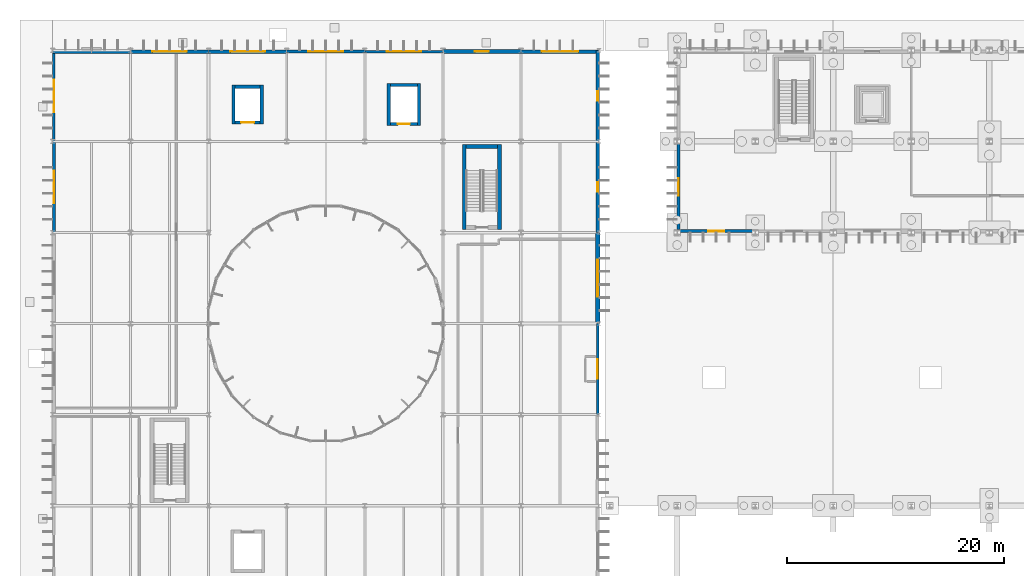
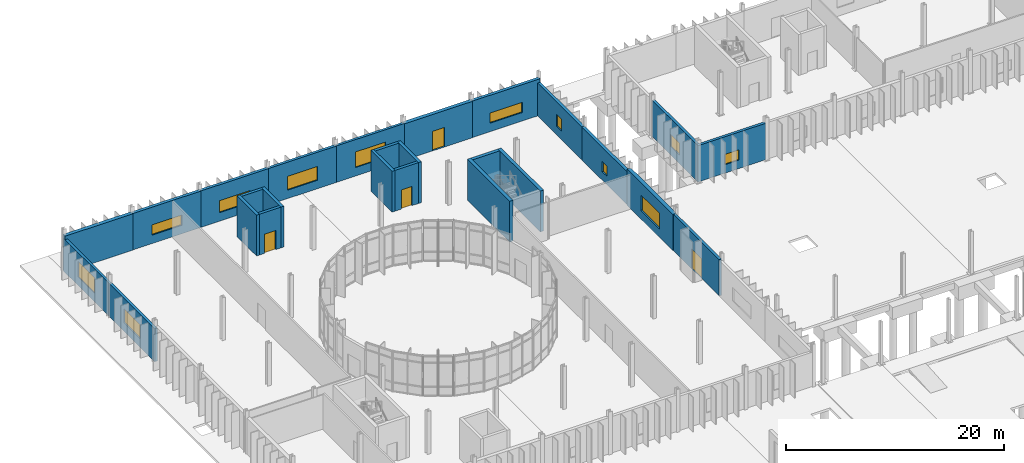
# One storey, part 95 of 118: 26 walls, 12 windows, 4 doors, 16 openings.
"""IFC4 building model written with IfcOpenShell, lengths in metres."""

import ifcopenshell
import ifcopenshell.guid

model = None  # the IFC model being written
_history = None  # IfcOwnerHistory: only IFC2X3 demands one
_inside = {}  # id of a spatial element -> (the spatial element, [elements in it])
_under = {}  # id of a project, library or spatial element -> (it, [spatial elements below it])
_declared = {}  # id of a project -> (the project, [libraries it declares])
_typed = {}  # id of a type object -> (the type object, [elements of that type])
_made_of = {}  # id of a material, layer set ... -> (it, [elements and type objects made of it])


def new_model(schema):
    """Start an empty IFC model of exactly this schema.

    Asked for "IFC4X3", IfcOpenShell would pick the latest addendum, in which some entities
    have other attributes; the version numbers below select the first issue.
    IFC2X3 requires an IfcOwnerHistory on every rooted entity: one is made here for all.
    """
    global model, _history
    if schema == "IFC4X3":
        model = ifcopenshell.file(schema_version=(4, 3, 0, 0))
    else:
        model = ifcopenshell.file(schema=schema)
    _inside.clear()
    _under.clear()
    _declared.clear()
    _typed.clear()
    _made_of.clear()
    _history = None
    if model.schema == "IFC2X3":
        org = make("IfcOrganization", Name="unknown")
        user = make(
            "IfcPersonAndOrganization",
            ThePerson=make("IfcPerson", FamilyName="unknown"),
            TheOrganization=org,
        )
        app = make(
            "IfcApplication",
            ApplicationDeveloper=org,
            Version="unknown",
            ApplicationFullName="unknown",
            ApplicationIdentifier="unknown",
        )
        _history = make(
            "IfcOwnerHistory",
            OwningUser=user,
            OwningApplication=app,
            ChangeAction="ADDED",
            CreationDate=0,
        )
    return model


def make(cls, **values):
    """One entity of the class cls with the attributes given. An attribute that is None is left unset."""
    return model.create_entity(
        cls, **{name: value for name, value in values.items() if value is not None}
    )


def rooted(cls, **values):
    """An entity with a GlobalId (a new one), such as an element, a storey or a relation."""
    return make(cls, GlobalId=ifcopenshell.guid.new(), OwnerHistory=_history, **values)


def si_unit(unit_type, name, prefix=None):
    """IfcSIUnit, for example si_unit("LENGTHUNIT", "METRE", prefix="MILLI")."""
    return make("IfcSIUnit", UnitType=unit_type, Prefix=prefix, Name=name)


def assignment(units):
    """IfcUnitAssignment: the units of a project."""
    return None if units is None else make("IfcUnitAssignment", Units=units)


def point(xyz):
    """IfcCartesianPoint."""
    return None if xyz is None else make("IfcCartesianPoint", Coordinates=xyz)


def direction(xyz):
    """IfcDirection."""
    return None if xyz is None else make("IfcDirection", DirectionRatios=xyz)


def frame(location, z_axis=None, x_axis=None):
    """IfcAxis2Placement3D, a coordinate frame: its origin and axes. An axis left out is left unset."""
    return make(
        "IfcAxis2Placement3D",
        Location=point(location),
        Axis=direction(z_axis),
        RefDirection=direction(x_axis),
    )


def frame_2d(location, x_axis=None):
    """IfcAxis2Placement2D, a coordinate frame in the plane: its origin and x axis."""
    return make(
        "IfcAxis2Placement2D", Location=point(location), RefDirection=direction(x_axis)
    )


def origin():
    """The frame at (0, 0, 0) with its axes left unset."""
    return frame((0.0, 0.0, 0.0))


def place(relative_to, where):
    """IfcLocalPlacement: puts the frame where relative to a parent placement (None: the world)."""
    return make(
        "IfcLocalPlacement", PlacementRelTo=relative_to, RelativePlacement=where
    )


def context(
    kind, dimensions, precision=None, world=None, true_north=None, identifier=None
):
    """IfcGeometricRepresentationContext, for example the 3D "Model" context."""
    return make(
        "IfcGeometricRepresentationContext",
        ContextIdentifier=identifier,
        ContextType=kind,
        CoordinateSpaceDimension=dimensions,
        Precision=precision,
        WorldCoordinateSystem=world,
        TrueNorth=true_north,
    )


def subcontext(parent, identifier, kind, view, scale=None):
    """IfcGeometricRepresentationSubContext, for example "Body" below "Model"."""
    return make(
        "IfcGeometricRepresentationSubContext",
        ContextIdentifier=identifier,
        ContextType=kind,
        ParentContext=parent,
        TargetScale=scale,
        TargetView=view,
    )


def project(units=None, contexts=None):
    """IfcProject with its units and contexts."""
    return rooted(
        "IfcProject",
        Name="project",
        RepresentationContexts=contexts,
        UnitsInContext=assignment(units),
    )


def spatial(cls, under=None, at=None, **own):
    """A site, building, storey or space (cls), placed at a placement, below another one or the project."""
    s = rooted(cls, ObjectPlacement=at, **own)
    if under is not None:
        _under.setdefault(under.id(), (under, []))[1].append(s)
    return s


def profile(cls, at=None, kind="AREA", **sizes):
    """A parametric profile (cls). Its sizes go by their IFC names, for example OverallWidth=200.0."""
    return make(cls, ProfileType=kind, Position=at, **sizes)


def rectangle(**sizes):
    """IfcRectangleProfileDef."""
    return profile("IfcRectangleProfileDef", **sizes)


def extrude(swept, where, along, depth):
    """IfcExtrudedAreaSolid: the profile swept, set in the frame where, extruded along a direction by depth."""
    return make(
        "IfcExtrudedAreaSolid",
        SweptArea=swept,
        Position=where,
        ExtrudedDirection=direction(along),
        Depth=depth,
    )


def shape(context_of_items, identifier, shape_type, items):
    """IfcShapeRepresentation: the items that make up one representation, for example the "Body"."""
    return make(
        "IfcShapeRepresentation",
        ContextOfItems=context_of_items,
        RepresentationIdentifier=identifier,
        RepresentationType=shape_type,
        Items=items,
    )


def material(Name=None, Category=None):
    """IfcMaterial."""
    return make("IfcMaterial", Name=Name, Category=Category)


def layer(
    of_material, thickness, ventilated=None, Name=None, Category=None, Priority=None
):
    """IfcMaterialLayer: one layer of a wall or slab, of a material (None: an air gap)."""
    return make(
        "IfcMaterialLayer",
        Material=of_material,
        LayerThickness=thickness,
        IsVentilated=ventilated,
        Name=Name,
        Category=Category,
        Priority=Priority,
    )


def layer_set(layers, Name=None):
    """IfcMaterialLayerSet."""
    return make("IfcMaterialLayerSet", MaterialLayers=layers, LayerSetName=Name)


def made_of(thing, what):
    """Note that an element or type object is made of a material, layer set ...; save() writes the relation."""
    if what is not None:
        _made_of.setdefault(what.id(), (what, []))[1].append(thing)
    return thing


def type_object(cls, material=None, **own):
    """A type object (cls), such as IfcWallType, which elements share."""
    return made_of(rooted(cls, **own), material)


def element(
    cls,
    number,
    at=None,
    inside=None,
    cuts=None,
    type_object=None,
    material=None,
    context=None,
    identifier="Body",
    shape_type=None,
    held_by="IfcProductDefinitionShape",
    body=None,
    shapes=None,
    **own,
):
    """One element of the class cls, such as IfcWall. Its Tag is "e" and its number.

    at: its placement. inside: the storey or other place that contains it. cuts: it is an
    opening in that element (IfcRelVoidsElement). A single representation is given by context,
    identifier, shape_type and body (its items); several are given by shapes. held_by: the class
    of the entity that holds the representations. save() writes the other relations.
    """
    e = rooted(cls, Tag="e%d" % number, ObjectPlacement=at, **own)
    if body is not None:
        shapes = [shape(context, identifier, shape_type, body)]
    if shapes is not None:
        e.Representation = make(held_by, Representations=shapes)
    if inside is not None:
        _inside.setdefault(inside.id(), (inside, []))[1].append(e)
    if cuts is not None:
        rooted(
            "IfcRelVoidsElement", RelatingBuildingElement=cuts, RelatedOpeningElement=e
        )
    if type_object is not None:
        _typed.setdefault(type_object.id(), (type_object, []))[1].append(e)
    return made_of(e, material)


def fill(opening, filler):
    """IfcRelFillsElement: the door or window that sits in an opening."""
    return rooted(
        "IfcRelFillsElement",
        RelatingOpeningElement=opening,
        RelatedBuildingElement=filler,
    )


def aggregate(whole, parts):
    """IfcRelAggregates: a whole, such as a stair, and the parts it consists of."""
    return rooted("IfcRelAggregates", RelatingObject=whole, RelatedObjects=parts)


def save(model, path):
    """Write the relations noted so far, then the file.

    IfcRelAggregates (storeys below a building ...), IfcRelContainedInSpatialStructure (elements
    in a storey), IfcRelDefinesByType, IfcRelAssociatesMaterial and IfcRelDeclares: one each for
    every whole, place, type object, material and project.
    """
    for whole, parts in _under.values():
        aggregate(whole, parts)
    for where, things in _inside.values():
        rooted(
            "IfcRelContainedInSpatialStructure",
            RelatedElements=things,
            RelatingStructure=where,
        )
    for kind, things in _typed.values():
        rooted("IfcRelDefinesByType", RelatedObjects=things, RelatingType=kind)
    for what, things in _made_of.values():
        rooted("IfcRelAssociatesMaterial", RelatedObjects=things, RelatingMaterial=what)
    for by, libraries in _declared.values():
        rooted("IfcRelDeclares", RelatingContext=by, RelatedDefinitions=libraries)
    model.write(path)


model = new_model("IFC4")

# Units and contexts
model_context = context("Model", 3, precision=1e-05, world=origin(), true_north=direction((0.0, 1.0)))
body_context = subcontext(model_context, "Body", "Model", "MODEL_VIEW")
ifc_project = project(units=[si_unit("LENGTHUNIT", "METRE"), si_unit("AREAUNIT", "SQUARE_METRE"), si_unit("VOLUMEUNIT", "CUBIC_METRE"), si_unit("PLANEANGLEUNIT", "RADIAN"), si_unit("MASSUNIT", "GRAM", prefix="KILO")], contexts=[model_context])

# Site, building, storey
site_placement = place(None, origin())
site = spatial("IfcSite", under=ifc_project, at=site_placement, CompositionType="ELEMENT")
building_placement = place(site_placement, origin())
building = spatial("IfcBuilding", under=site, at=building_placement, Name="Qelthora Terrace Specialist Clinic", CompositionType="ELEMENT")
storey_placement = place(building_placement, origin())
storey = spatial("IfcBuildingStorey", under=building, at=storey_placement, Name="L00", CompositionType="ELEMENT", Elevation=0.0)

# Walls
ifc_material_1 = material(Name="Concrete C40/50", Category="concrete")
ifc_layer_1 = layer(ifc_material_1, 0.300048828125)
ifc_layer_set_1 = layer_set([ifc_layer_1], Name="Concrete C40/50")
wall_type_1 = type_object("IfcWallType", Name="WAL-CORE-300-C40", PredefinedType="SHEAR", material=ifc_layer_set_1)
for number, where, z_axis, x_axis, name in (
    (1, (31.0, 102.25, 0.0), (0.0, 0.0, 1.0), (0.0, 1.0, 0.0), "Lift SL-02 L00 west shaft wall"),
    (2, (33.800048828125, 102.25, 0.0), (0.0, 0.0, 1.0), (0.0, 1.0, 0.0), "Lift SL-02 L00 east shaft wall"),
):
    element("IfcWall", number, at=place(storey_placement, frame(where, z_axis=z_axis, x_axis=x_axis)), inside=storey, type_object=wall_type_1, Name=name, PredefinedType="SHEAR", context=body_context, shape_type="SweptSolid", body=[
        extrude(rectangle(XDim=3.89990234375, YDim=0.300048828125, at=frame_2d((1.949951171875, 0.0))), origin(), (0.0, 0.0, 1.0), 4.580078125),
    ])
wall_1_placement = place(storey_placement, frame((31.14990234375, 106.0, 0.0), z_axis=(0.0, 0.0, 1.0), x_axis=(1.0, 0.0, 0.0)))
element("IfcWall", 3, at=wall_1_placement, inside=storey, type_object=wall_type_1, Name="Lift SL-02 L00 north shaft wall", PredefinedType="SHEAR", context=body_context, shape_type="SweptSolid", body=[
    extrude(rectangle(XDim=2.5, YDim=0.300048828125, at=frame_2d((1.25, 0.0))), origin(), (0.0, 0.0, 1.0), 4.580078125),
])

# Wall, opening, door
wall_2_placement = place(storey_placement, frame((31.14990234375, 102.39990234375, 0.0), z_axis=(0.0, 0.0, 1.0), x_axis=(1.0, 0.0, 0.0)))
wall_2 = element("IfcWall", 4, at=wall_2_placement, inside=storey, type_object=wall_type_1, Name="Lift SL-02 L00 south shaft wall", PredefinedType="SHEAR", context=body_context, shape_type="SweptSolid", body=[
    extrude(rectangle(XDim=2.5, YDim=0.300048828125, at=frame_2d((1.25, 0.0))), origin(), (0.0, 0.0, 1.0), 4.580078125),
])
opening_1_placement = place(wall_2_placement, frame((0.699951171875, 0.0, 0.0)))
opening_1 = element("IfcOpeningElement", 5, at=opening_1_placement, cuts=wall_2, Name="Opening LD-SL-02-L00", PredefinedType="OPENING", context=body_context, shape_type="SweptSolid", body=[
    extrude(rectangle(XDim=1.10009765625, YDim=2.14990234375, at=frame_2d((0.550048828125, 1.074951171875))), frame((0.0, 0.159912109375, 0.0), z_axis=(0.0, -1.0, 0.0), x_axis=(1.0, 0.0, 0.0)), (0.0, 0.0, 1.0), 0.320068359375),
])
ifc_material_2 = material(Name="Steel S355", Category="steel")
door_type_1 = type_object("IfcDoorType", Name="DOR-LIFT-1100X2150", OperationType="NOTDEFINED", PredefinedType="DOOR", material=ifc_material_2)
door_1_placement = place(opening_1_placement, origin())
door_1 = element("IfcDoor", 6, at=door_1_placement, inside=storey, type_object=door_type_1, Name="Lift landing sliding door LD-SL-02-L00", OperationType="DOUBLE_DOOR_SLIDING", OverallHeight=2.14990234375, OverallWidth=1.10009765625, PredefinedType="DOOR", context=body_context, shape_type="SweptSolid", body=[
    extrude(rectangle(XDim=1.10009765625, YDim=2.14990234375, at=frame_2d((0.550048828125, 1.074951171875))), frame((0.0, 0.02490234375, 0.0), z_axis=(0.0, -1.0, 0.0), x_axis=(1.0, 0.0, 0.0)), (0.0, 0.0, 1.0), 0.050048828125),
])
fill(opening_1, door_1)

# Walls
for number, where, z_axis, x_axis, name in (
    (7, (16.699951171875, 102.39990234375, 0.0), (0.0, 0.0, 1.0), (0.0, 1.0, 0.0), "Lift GL-01 L00 west shaft wall"),
    (8, (19.300048828125, 102.39990234375, 0.0), (0.0, 0.0, 1.0), (0.0, 1.0, 0.0), "Lift GL-01 L00 east shaft wall"),
):
    element("IfcWall", number, at=place(storey_placement, frame(where, z_axis=z_axis, x_axis=x_axis)), inside=storey, type_object=wall_type_1, Name=name, PredefinedType="SHEAR", context=body_context, shape_type="SweptSolid", body=[
        extrude(rectangle(XDim=3.60009765625, YDim=0.300048828125, at=frame_2d((1.800048828125, 0.0))), origin(), (0.0, 0.0, 1.0), 4.580078125),
    ])
wall_3_placement = place(storey_placement, frame((16.85009765625, 105.85009765625, 0.0), z_axis=(0.0, 0.0, 1.0), x_axis=(1.0, 0.0, 0.0)))
element("IfcWall", 9, at=wall_3_placement, inside=storey, type_object=wall_type_1, Name="Lift GL-01 L00 north shaft wall", PredefinedType="SHEAR", context=body_context, shape_type="SweptSolid", body=[
    extrude(rectangle(XDim=2.2998046875, YDim=0.300048828125, at=frame_2d((1.14990234375, 0.0))), origin(), (0.0, 0.0, 1.0), 4.580078125),
])

# Wall, opening, door
wall_4_placement = place(storey_placement, frame((16.85009765625, 102.550048828125, 0.0), z_axis=(0.0, 0.0, 1.0), x_axis=(1.0, 0.0, 0.0)))
wall_4 = element("IfcWall", 10, at=wall_4_placement, inside=storey, type_object=wall_type_1, Name="Lift GL-01 L00 south shaft wall", PredefinedType="SHEAR", context=body_context, shape_type="SweptSolid", body=[
    extrude(rectangle(XDim=2.2998046875, YDim=0.300048828125, at=frame_2d((1.14990234375, 0.0))), origin(), (0.0, 0.0, 1.0), 4.580078125),
])
opening_2_placement = place(wall_4_placement, frame((0.550048828125, 0.0, 0.0)))
opening_2 = element("IfcOpeningElement", 11, at=opening_2_placement, cuts=wall_4, Name="Opening LD-GL-01-L00", PredefinedType="OPENING", context=body_context, shape_type="SweptSolid", body=[
    extrude(rectangle(XDim=1.199951171875, YDim=2.14990234375, at=frame_2d((0.60009765625, 1.074951171875))), frame((0.0, 0.159912109375, 0.0), z_axis=(0.0, -1.0, 0.0), x_axis=(1.0, 0.0, 0.0)), (0.0, 0.0, 1.0), 0.320068359375),
])
door_type_2 = type_object("IfcDoorType", Name="DOR-LIFT-1200X2150", OperationType="NOTDEFINED", PredefinedType="DOOR", material=ifc_material_2)
door_2_placement = place(opening_2_placement, origin())
door_2 = element("IfcDoor", 12, at=door_2_placement, inside=storey, type_object=door_type_2, Name="Lift landing sliding door LD-GL-01-L00", OperationType="DOUBLE_DOOR_SLIDING", OverallHeight=2.14990234375, OverallWidth=1.199951171875, PredefinedType="DOOR", context=body_context, shape_type="SweptSolid", body=[
    extrude(rectangle(XDim=1.199951171875, YDim=2.14990234375, at=frame_2d((0.60009765625, 1.074951171875))), frame((0.0, 0.02490234375, 0.0), z_axis=(0.0, -1.0, 0.0), x_axis=(1.0, 0.0, 0.0)), (0.0, 0.0, 1.0), 0.050048828125),
])
fill(opening_2, door_2)

# Walls
ifc_layer_2 = layer(ifc_material_1, 0.35009765625)
ifc_layer_set_2 = layer_set([ifc_layer_2], Name="Concrete C40/50")
wall_type_2 = type_object("IfcWallType", Name="WAL-CORE-350-C40", PredefinedType="SHEAR", material=ifc_layer_set_2)
for number, where, z_axis, x_axis, name in (
    (13, (37.97509765625, 92.699951171875, 0.0), (0.0, 0.0, 1.0), (0.0, 1.0, 0.0), "ST-02 L00 west shear core wall"),
    (14, (41.22509765625, 92.699951171875, 0.0), (0.0, 0.0, 1.0), (0.0, 1.0, 0.0), "ST-02 L00 east shear core wall"),
):
    element("IfcWall", number, at=place(storey_placement, frame(where, z_axis=z_axis, x_axis=x_axis)), inside=storey, type_object=wall_type_2, Name=name, PredefinedType="SHEAR", context=body_context, shape_type="SweptSolid", body=[
        extrude(rectangle(XDim=7.800048828125, YDim=0.35009765625, at=frame_2d((3.89990234375, 0.0))), origin(), (0.0, 0.0, 1.0), 4.580078125),
    ])
wall_5_placement = place(storey_placement, frame((38.14990234375, 100.324951171875, 0.0), z_axis=(0.0, 0.0, 1.0), x_axis=(1.0, 0.0, 0.0)))
element("IfcWall", 15, at=wall_5_placement, inside=storey, type_object=wall_type_2, Name="ST-02 L00 north shear core wall", PredefinedType="SHEAR", context=body_context, shape_type="SweptSolid", body=[
    extrude(rectangle(XDim=2.900146484375, YDim=0.35009765625, at=frame_2d((1.4501953125, 0.0))), origin(), (0.0, 0.0, 1.0), 4.580078125),
])

# Wall, opening, window
ifc_material_3 = material(Name="Precast concrete C40/50", Category="concrete")
ifc_layer_3 = layer(ifc_material_3, 0.260009765625)
ifc_layer_set_3 = layer_set([ifc_layer_3], Name="Precast concrete C40/50")
wall_type_3 = type_object("IfcWallType", Name="WAL-EXT-260-PC40", PredefinedType="SOLIDWALL", material=ifc_layer_set_3)
wall_6_placement = place(storey_placement, frame((0.1201171875, 100.800048828125, 0.0), z_axis=(0.0, 0.0, 1.0), x_axis=(0.0, 1.0, 0.0)))
wall_6 = element("IfcWall", 16, at=wall_6_placement, inside=storey, type_object=wall_type_3, Name="L00 external precast wall 69", PredefinedType="SOLIDWALL", context=body_context, shape_type="SweptSolid", body=[
    extrude(rectangle(XDim=8.39990234375, YDim=0.260009765625, at=frame_2d((4.199951171875, 0.0))), origin(), (0.0, 0.0, 1.0), 3.69091796875),
])
opening_3_placement = place(wall_6_placement, frame((2.699951171875, 0.0, 0.949951171875)))
opening_3 = element("IfcOpeningElement", 17, at=opening_3_placement, cuts=wall_6, Name="Opening WN-L00-052", PredefinedType="OPENING", context=body_context, shape_type="SweptSolid", body=[
    extrude(rectangle(XDim=3.0, YDim=1.75, at=frame_2d((1.5, 0.875))), frame((0.0, 0.139892578125, 0.0), z_axis=(0.0, -1.0, 0.0), x_axis=(1.0, 0.0, 0.0)), (0.0, 0.0, 1.0), 0.280029296875),
])
ifc_material_4 = material(Name="Low-E triple-silver insulating glass", Category="glass")
window_type_1 = type_object("IfcWindowType", Name="WIN-3000X1750", PartitioningType="DOUBLE_PANEL_VERTICAL", PredefinedType="WINDOW", material=ifc_material_4)
window_1_placement = place(opening_3_placement, origin())
window_1 = element("IfcWindow", 18, at=window_1_placement, inside=storey, type_object=window_type_1, Name="Clinical window WN-L00-052", OverallHeight=1.75, OverallWidth=3.0, PartitioningType="SINGLE_PANEL", PredefinedType="WINDOW", context=body_context, shape_type="SweptSolid", body=[
    extrude(rectangle(XDim=3.0, YDim=1.75, at=frame_2d((1.5, 0.875))), frame((0.0, 0.030029296875, 0.0), z_axis=(0.0, -1.0, 0.0), x_axis=(1.0, 0.0, 0.0)), (0.0, 0.0, 1.0), 0.06005859375),
])
fill(opening_3, window_1)

wall_7_placement = place(storey_placement, frame((28.800048828125, 109.080078125, 0.0), z_axis=(0.0, 0.0, 1.0), x_axis=(1.0, 0.0, 0.0)))
wall_7 = element("IfcWall", 19, at=wall_7_placement, inside=storey, type_object=wall_type_3, Name="L00 external precast wall 74", PredefinedType="SOLIDWALL", context=body_context, shape_type="SweptSolid", body=[
    extrude(rectangle(XDim=7.199951171875, YDim=0.260009765625, at=frame_2d((3.60009765625, 0.0))), origin(), (0.0, 0.0, 1.0), 4.08203125),
])
opening_4_placement = place(wall_7_placement, frame((2.0, 0.0, 0.949951171875)))
opening_4 = element("IfcOpeningElement", 20, at=opening_4_placement, cuts=wall_7, Name="Opening WN-L00-056", PredefinedType="OPENING", context=body_context, shape_type="SweptSolid", body=[
    extrude(rectangle(XDim=3.199951171875, YDim=1.75, at=frame_2d((1.60009765625, 0.875))), frame((0.0, 0.139892578125, 0.0), z_axis=(0.0, -1.0, 0.0), x_axis=(1.0, 0.0, 0.0)), (0.0, 0.0, 1.0), 0.280029296875),
])
window_type_2 = type_object("IfcWindowType", Name="WIN-3200X1750", PartitioningType="DOUBLE_PANEL_VERTICAL", PredefinedType="WINDOW", material=ifc_material_4)
window_2_placement = place(opening_4_placement, origin())
window_2 = element("IfcWindow", 21, at=window_2_placement, inside=storey, type_object=window_type_2, Name="Clinical window WN-L00-056", OverallHeight=1.75, OverallWidth=3.199951171875, PartitioningType="SINGLE_PANEL", PredefinedType="WINDOW", context=body_context, shape_type="SweptSolid", body=[
    extrude(rectangle(XDim=3.199951171875, YDim=1.75, at=frame_2d((1.60009765625, 0.875))), frame((0.0, 0.030029296875, 0.0), z_axis=(0.0, -1.0, 0.0), x_axis=(1.0, 0.0, 0.0)), (0.0, 0.0, 1.0), 0.06005859375),
])
fill(opening_4, window_2)

# Wall, opening, door
wall_8_placement = place(storey_placement, frame((50.280029296875, 75.60009765625, 0.0), z_axis=(0.0, 0.0, 1.0), x_axis=(0.0, 1.0, 0.0)))
wall_8 = element("IfcWall", 22, at=wall_8_placement, inside=storey, type_object=wall_type_3, Name="L00 external precast wall 79", PredefinedType="SOLIDWALL", context=body_context, shape_type="SweptSolid", body=[
    extrude(rectangle(XDim=8.39990234375, YDim=0.260009765625, at=frame_2d((4.199951171875, 0.0))), origin(), (0.0, 0.0, 1.0), 4.075927734375),
])
opening_5_placement = place(wall_8_placement, frame((3.300048828125, 0.0, 0.0)))
opening_5 = element("IfcOpeningElement", 23, at=opening_5_placement, cuts=wall_8, Name="Opening DE-V5CRT-01", PredefinedType="OPENING", context=body_context, shape_type="SweptSolid", body=[
    extrude(rectangle(XDim=1.800048828125, YDim=2.199951171875, at=frame_2d((0.89990234375, 1.10009765625))), frame((0.0, 0.139892578125, 0.0), z_axis=(0.0, -1.0, 0.0), x_axis=(1.0, 0.0, 0.0)), (0.0, 0.0, 1.0), 0.280029296875),
])
door_type_3 = type_object("IfcDoorType", Name="DOR-EXT-1800X2200", OperationType="NOTDEFINED", PredefinedType="DOOR", material=ifc_material_2)
door_3_placement = place(opening_5_placement, frame((1.800048828125, 0.0, 0.0), z_axis=(0.0, 0.0, 1.0), x_axis=(-1.0, 0.0, 0.0)))
door_3 = element("IfcDoor", 24, at=door_3_placement, inside=storey, type_object=door_type_3, Name="Exterior entrance/exit door DE-V5CRT-01", OperationType="DOUBLE_DOOR_SINGLE_SWING", OverallHeight=2.199951171875, OverallWidth=1.800048828125, PredefinedType="DOOR", context=body_context, shape_type="SweptSolid", body=[
    extrude(rectangle(XDim=1.800048828125, YDim=2.199951171875, at=frame_2d((0.89990234375, 1.10009765625))), frame((0.0, 0.02490234375, 0.0), z_axis=(0.0, -1.0, 0.0), x_axis=(1.0, 0.0, 0.0)), (0.0, 0.0, 1.0), 0.050048828125),
])
fill(opening_5, door_3)

# Wall, opening, window
ifc_layer_4 = layer(ifc_material_3, 0.280029296875)
ifc_layer_set_4 = layer_set([ifc_layer_4], Name="Precast concrete C40/50")
wall_type_4 = type_object("IfcWallType", Name="WAL-EXT-280-PC40", PredefinedType="SOLIDWALL", material=ifc_layer_set_4)
wall_9_placement = place(storey_placement, frame((57.60009765625, 92.52001953125, 0.0), z_axis=(0.0, 0.0, 1.0), x_axis=(1.0, 0.0, 0.0)))
wall_9 = element("IfcWall", 25, at=wall_9_placement, inside=storey, type_object=wall_type_4, Name="L00 external precast wall 18", PredefinedType="SOLIDWALL", context=body_context, shape_type="SweptSolid", body=[
    extrude(rectangle(XDim=7.199951171875, YDim=0.280029296875, at=frame_2d((3.60009765625, 0.0))), origin(), (0.0, 0.0, 1.0), 4.08203125),
])
opening_6_placement = place(wall_9_placement, frame((2.85009765625, 0.0, 0.949951171875)))
opening_6 = element("IfcOpeningElement", 26, at=opening_6_placement, cuts=wall_9, Name="Opening WN-L00-013", PredefinedType="OPENING", context=body_context, shape_type="SweptSolid", body=[
    extrude(rectangle(XDim=1.5, YDim=1.14990234375, at=frame_2d((0.75, 0.574951171875))), frame((0.0, 0.14990234375, 0.0), z_axis=(0.0, -1.0, 0.0), x_axis=(1.0, 0.0, 0.0)), (0.0, 0.0, 1.0), 0.300048828125),
])
window_type_3 = type_object("IfcWindowType", Name="WIN-1500X1150", PartitioningType="SINGLE_PANEL", PredefinedType="WINDOW", material=ifc_material_4)
window_3_placement = place(opening_6_placement, origin())
window_3 = element("IfcWindow", 27, at=window_3_placement, inside=storey, type_object=window_type_3, Name="Clinical window WN-L00-013", OverallHeight=1.14990234375, OverallWidth=1.5, PartitioningType="SINGLE_PANEL", PredefinedType="WINDOW", context=body_context, shape_type="SweptSolid", body=[
    extrude(rectangle(XDim=1.5, YDim=1.14990234375, at=frame_2d((0.75, 0.574951171875))), frame((0.0, 0.030029296875, 0.0), z_axis=(0.0, -1.0, 0.0), x_axis=(1.0, 0.0, 0.0)), (0.0, 0.0, 1.0), 0.06005859375),
])
fill(opening_6, window_3)

wall_10_placement = place(storey_placement, frame((57.719970703125, 92.39990234375, 0.0), z_axis=(0.0, 0.0, 1.0), x_axis=(0.0, 1.0, 0.0)))
wall_10 = element("IfcWall", 28, at=wall_10_placement, inside=storey, type_object=wall_type_4, Name="L00 external precast wall 23", PredefinedType="SOLIDWALL", context=body_context, shape_type="SweptSolid", body=[
    extrude(rectangle(XDim=8.400146484375, YDim=0.280029296875, at=frame_2d((4.2001953125, 0.0))), origin(), (0.0, 0.0, 1.0), 4.08203125),
])
opening_7_placement = place(wall_10_placement, frame((3.375, 0.0, 0.949951171875)))
opening_7 = element("IfcOpeningElement", 29, at=opening_7_placement, cuts=wall_10, Name="Opening WN-L00-018", PredefinedType="OPENING", context=body_context, shape_type="SweptSolid", body=[
    extrude(rectangle(XDim=1.64990234375, YDim=1.35009765625, at=frame_2d((0.824951171875, 0.675048828125))), frame((0.0, 0.14990234375, 0.0), z_axis=(0.0, -1.0, 0.0), x_axis=(1.0, 0.0, 0.0)), (0.0, 0.0, 1.0), 0.300048828125),
])
window_type_4 = type_object("IfcWindowType", Name="WIN-1650X1350", PartitioningType="DOUBLE_PANEL_VERTICAL", PredefinedType="WINDOW", material=ifc_material_4)
window_4_placement = place(opening_7_placement, origin())
window_4 = element("IfcWindow", 30, at=window_4_placement, inside=storey, type_object=window_type_4, Name="Clinical window WN-L00-018", OverallHeight=1.35009765625, OverallWidth=1.64990234375, PartitioningType="SINGLE_PANEL", PredefinedType="WINDOW", context=body_context, shape_type="SweptSolid", body=[
    extrude(rectangle(XDim=1.64990234375, YDim=1.35009765625, at=frame_2d((0.824951171875, 0.675048828125))), frame((0.0, 0.030029296875, 0.0), z_axis=(0.0, -1.0, 0.0), x_axis=(1.0, 0.0, 0.0)), (0.0, 0.0, 1.0), 0.06005859375),
])
fill(opening_7, window_4)

wall_11_placement = place(storey_placement, frame((0.1201171875, 92.39990234375, 0.0), z_axis=(0.0, 0.0, 1.0), x_axis=(0.0, 1.0, 0.0)))
wall_11 = element("IfcWall", 31, at=wall_11_placement, inside=storey, type_object=wall_type_4, Name="L00 external precast wall 68", PredefinedType="SOLIDWALL", context=body_context, shape_type="SweptSolid", body=[
    extrude(rectangle(XDim=8.400146484375, YDim=0.280029296875, at=frame_2d((4.2001953125, 0.0))), origin(), (0.0, 0.0, 1.0), 3.69091796875),
])
opening_8_placement = place(wall_11_placement, frame((2.699951171875, 0.0, 0.949951171875)))
opening_8 = element("IfcOpeningElement", 32, at=opening_8_placement, cuts=wall_11, Name="Opening WN-L00-051", PredefinedType="OPENING", context=body_context, shape_type="SweptSolid", body=[
    extrude(rectangle(XDim=3.0, YDim=1.550048828125, at=frame_2d((1.5, 0.77490234375))), frame((0.0, 0.14990234375, 0.0), z_axis=(0.0, -1.0, 0.0), x_axis=(1.0, 0.0, 0.0)), (0.0, 0.0, 1.0), 0.300048828125),
])
window_type_5 = type_object("IfcWindowType", Name="WIN-3000X1550", PartitioningType="DOUBLE_PANEL_VERTICAL", PredefinedType="WINDOW", material=ifc_material_4)
window_5_placement = place(opening_8_placement, origin())
window_5 = element("IfcWindow", 33, at=window_5_placement, inside=storey, type_object=window_type_5, Name="Clinical window WN-L00-051", OverallHeight=1.550048828125, OverallWidth=3.0, PartitioningType="SINGLE_PANEL", PredefinedType="WINDOW", context=body_context, shape_type="SweptSolid", body=[
    extrude(rectangle(XDim=3.0, YDim=1.550048828125, at=frame_2d((1.5, 0.77490234375))), frame((0.0, 0.030029296875, 0.0), z_axis=(0.0, -1.0, 0.0), x_axis=(1.0, 0.0, 0.0)), (0.0, 0.0, 1.0), 0.06005859375),
])
fill(opening_8, window_5)

wall_12_placement = place(storey_placement, frame((21.60009765625, 109.080078125, 0.0), z_axis=(0.0, 0.0, 1.0), x_axis=(1.0, 0.0, 0.0)))
wall_12 = element("IfcWall", 34, at=wall_12_placement, inside=storey, type_object=wall_type_4, Name="L00 external precast wall 73", PredefinedType="SOLIDWALL", context=body_context, shape_type="SweptSolid", body=[
    extrude(rectangle(XDim=7.199951171875, YDim=0.280029296875, at=frame_2d((3.60009765625, 0.0))), origin(), (0.0, 0.0, 1.0), 4.08203125),
])
opening_9_placement = place(wall_12_placement, frame((2.0, 0.0, 0.949951171875)))
opening_9 = element("IfcOpeningElement", 35, at=opening_9_placement, cuts=wall_12, Name="Opening WN-L00-055", PredefinedType="OPENING", context=body_context, shape_type="SweptSolid", body=[
    extrude(rectangle(XDim=3.199951171875, YDim=1.550048828125, at=frame_2d((1.60009765625, 0.77490234375))), frame((0.0, 0.14990234375, 0.0), z_axis=(0.0, -1.0, 0.0), x_axis=(1.0, 0.0, 0.0)), (0.0, 0.0, 1.0), 0.300048828125),
])
window_type_6 = type_object("IfcWindowType", Name="WIN-3200X1550", PartitioningType="DOUBLE_PANEL_VERTICAL", PredefinedType="WINDOW", material=ifc_material_4)
window_6_placement = place(opening_9_placement, origin())
window_6 = element("IfcWindow", 36, at=window_6_placement, inside=storey, type_object=window_type_6, Name="Clinical window WN-L00-055", OverallHeight=1.550048828125, OverallWidth=3.199951171875, PartitioningType="SINGLE_PANEL", PredefinedType="WINDOW", context=body_context, shape_type="SweptSolid", body=[
    extrude(rectangle(XDim=3.199951171875, YDim=1.550048828125, at=frame_2d((1.60009765625, 0.77490234375))), frame((0.0, 0.030029296875, 0.0), z_axis=(0.0, -1.0, 0.0), x_axis=(1.0, 0.0, 0.0)), (0.0, 0.0, 1.0), 0.06005859375),
])
fill(opening_9, window_6)

ifc_layer_5 = layer(ifc_material_3, 0.300048828125)
ifc_layer_set_5 = layer_set([ifc_layer_5], Name="Precast concrete C40/50")
wall_type_5 = type_object("IfcWallType", Name="WAL-EXT-300-PC40", PredefinedType="SOLIDWALL", material=ifc_layer_set_5)
wall_13_placement = place(storey_placement, frame((14.39990234375, 109.080078125, 0.0), z_axis=(0.0, 0.0, 1.0), x_axis=(1.0, 0.0, 0.0)))
wall_13 = element("IfcWall", 37, at=wall_13_placement, inside=storey, type_object=wall_type_5, Name="L00 external precast wall 72", PredefinedType="SOLIDWALL", context=body_context, shape_type="SweptSolid", body=[
    extrude(rectangle(XDim=7.2001953125, YDim=0.300048828125, at=frame_2d((3.60009765625, 0.0))), origin(), (0.0, 0.0, 1.0), 4.08203125),
])
opening_10_placement = place(wall_13_placement, frame((2.0, 0.0, 0.949951171875)))
opening_10 = element("IfcOpeningElement", 38, at=opening_10_placement, cuts=wall_13, Name="Opening WN-L00-054", PredefinedType="OPENING", context=body_context, shape_type="SweptSolid", body=[
    extrude(rectangle(XDim=3.199951171875, YDim=1.35009765625, at=frame_2d((1.60009765625, 0.675048828125))), frame((0.0, 0.159912109375, 0.0), z_axis=(0.0, -1.0, 0.0), x_axis=(1.0, 0.0, 0.0)), (0.0, 0.0, 1.0), 0.320068359375),
])
window_type_7 = type_object("IfcWindowType", Name="WIN-3200X1350", PartitioningType="DOUBLE_PANEL_VERTICAL", PredefinedType="WINDOW", material=ifc_material_4)
window_7_placement = place(opening_10_placement, origin())
window_7 = element("IfcWindow", 39, at=window_7_placement, inside=storey, type_object=window_type_7, Name="Clinical window WN-L00-054", OverallHeight=1.35009765625, OverallWidth=3.199951171875, PartitioningType="SINGLE_PANEL", PredefinedType="WINDOW", context=body_context, shape_type="SweptSolid", body=[
    extrude(rectangle(XDim=3.199951171875, YDim=1.35009765625, at=frame_2d((1.60009765625, 0.675048828125))), frame((0.0, 0.030029296875, 0.0), z_axis=(0.0, -1.0, 0.0), x_axis=(1.0, 0.0, 0.0)), (0.0, 0.0, 1.0), 0.06005859375),
])
fill(opening_10, window_7)

wall_14_placement = place(storey_placement, frame((50.280029296875, 100.800048828125, 0.0), z_axis=(0.0, 0.0, 1.0), x_axis=(0.0, 1.0, 0.0)))
wall_14 = element("IfcWall", 40, at=wall_14_placement, inside=storey, type_object=wall_type_5, Name="L00 external precast wall 82", PredefinedType="SOLIDWALL", context=body_context, shape_type="SweptSolid", body=[
    extrude(rectangle(XDim=8.39990234375, YDim=0.300048828125, at=frame_2d((4.199951171875, 0.0))), origin(), (0.0, 0.0, 1.0), 3.69091796875),
])
opening_11_placement = place(wall_14_placement, frame((3.75, 0.0, 0.949951171875)))
opening_11 = element("IfcOpeningElement", 41, at=opening_11_placement, cuts=wall_14, Name="Opening WN-L00-062", PredefinedType="OPENING", context=body_context, shape_type="SweptSolid", body=[
    extrude(rectangle(XDim=0.89990234375, YDim=1.35009765625, at=frame_2d((0.449951171875, 0.675048828125))), frame((0.0, 0.159912109375, 0.0), z_axis=(0.0, -1.0, 0.0), x_axis=(1.0, 0.0, 0.0)), (0.0, 0.0, 1.0), 0.320068359375),
])
window_type_8 = type_object("IfcWindowType", Name="WIN-900X1350", PartitioningType="SINGLE_PANEL", PredefinedType="WINDOW", material=ifc_material_4)
window_8_placement = place(opening_11_placement, origin())
window_8 = element("IfcWindow", 42, at=window_8_placement, inside=storey, type_object=window_type_8, Name="Clinical window WN-L00-062", OverallHeight=1.35009765625, OverallWidth=0.89990234375, PartitioningType="SINGLE_PANEL", PredefinedType="WINDOW", context=body_context, shape_type="SweptSolid", body=[
    extrude(rectangle(XDim=0.89990234375, YDim=1.35009765625, at=frame_2d((0.449951171875, 0.675048828125))), frame((0.0, 0.030029296875, 0.0), z_axis=(0.0, -1.0, 0.0), x_axis=(1.0, 0.0, 0.0)), (0.0, 0.0, 1.0), 0.06005859375),
])
fill(opening_11, window_8)

ifc_layer_6 = layer(ifc_material_3, 0.320068359375)
ifc_layer_set_6 = layer_set([ifc_layer_6], Name="Precast concrete C40/50")
wall_type_6 = type_object("IfcWallType", Name="WAL-EXT-320-PC40", PredefinedType="SOLIDWALL", material=ifc_layer_set_6)
wall_15_placement = place(storey_placement, frame((7.199951171875, 109.080078125, 0.0), z_axis=(0.0, 0.0, 1.0), x_axis=(1.0, 0.0, 0.0)))
wall_15 = element("IfcWall", 43, at=wall_15_placement, inside=storey, type_object=wall_type_6, Name="L00 external precast wall 71", PredefinedType="SOLIDWALL", context=body_context, shape_type="SweptSolid", body=[
    extrude(rectangle(XDim=7.199951171875, YDim=0.320068359375, at=frame_2d((3.60009765625, 0.0))), origin(), (0.0, 0.0, 1.0), 4.08203125),
])
opening_12_placement = place(wall_15_placement, frame((2.0, 0.0, 0.949951171875)))
opening_12 = element("IfcOpeningElement", 44, at=opening_12_placement, cuts=wall_15, Name="Opening WN-L00-053", PredefinedType="OPENING", context=body_context, shape_type="SweptSolid", body=[
    extrude(rectangle(XDim=3.199951171875, YDim=1.14990234375, at=frame_2d((1.60009765625, 0.574951171875))), frame((0.0, 0.169921875, 0.0), z_axis=(0.0, -1.0, 0.0), x_axis=(1.0, 0.0, 0.0)), (0.0, 0.0, 1.0), 0.340087890625),
])
window_type_9 = type_object("IfcWindowType", Name="WIN-3200X1150", PartitioningType="DOUBLE_PANEL_VERTICAL", PredefinedType="WINDOW", material=ifc_material_4)
window_9_placement = place(opening_12_placement, origin())
window_9 = element("IfcWindow", 45, at=window_9_placement, inside=storey, type_object=window_type_9, Name="Clinical window WN-L00-053", OverallHeight=1.14990234375, OverallWidth=3.199951171875, PartitioningType="SINGLE_PANEL", PredefinedType="WINDOW", context=body_context, shape_type="SweptSolid", body=[
    extrude(rectangle(XDim=3.199951171875, YDim=1.14990234375, at=frame_2d((1.60009765625, 0.574951171875))), frame((0.0, 0.030029296875, 0.0), z_axis=(0.0, -1.0, 0.0), x_axis=(1.0, 0.0, 0.0)), (0.0, 0.0, 1.0), 0.06005859375),
])
fill(opening_12, window_9)

wall_16_placement = place(storey_placement, frame((43.199951171875, 109.080078125, 0.0), z_axis=(0.0, 0.0, 1.0), x_axis=(1.0, 0.0, 0.0)))
wall_16 = element("IfcWall", 46, at=wall_16_placement, inside=storey, type_object=wall_type_6, Name="L00 external precast wall 76", PredefinedType="SOLIDWALL", context=body_context, shape_type="SweptSolid", body=[
    extrude(rectangle(XDim=7.199951171875, YDim=0.320068359375, at=frame_2d((3.60009765625, 0.0))), origin(), (0.0, 0.0, 1.0), 4.08203125),
])
opening_13_placement = place(wall_16_placement, frame((1.89990234375, 0.0, 0.949951171875)))
opening_13 = element("IfcOpeningElement", 47, at=opening_13_placement, cuts=wall_16, Name="Opening WN-L00-057", PredefinedType="OPENING", context=body_context, shape_type="SweptSolid", body=[
    extrude(rectangle(XDim=3.39990234375, YDim=1.14990234375, at=frame_2d((1.699951171875, 0.574951171875))), frame((0.0, 0.169921875, 0.0), z_axis=(0.0, -1.0, 0.0), x_axis=(1.0, 0.0, 0.0)), (0.0, 0.0, 1.0), 0.340087890625),
])
window_type_10 = type_object("IfcWindowType", Name="WIN-3400X1150", PartitioningType="DOUBLE_PANEL_VERTICAL", PredefinedType="WINDOW", material=ifc_material_4)
window_10_placement = place(opening_13_placement, origin())
window_10 = element("IfcWindow", 48, at=window_10_placement, inside=storey, type_object=window_type_10, Name="Clinical window WN-L00-057", OverallHeight=1.14990234375, OverallWidth=3.39990234375, PartitioningType="SINGLE_PANEL", PredefinedType="WINDOW", context=body_context, shape_type="SweptSolid", body=[
    extrude(rectangle(XDim=3.39990234375, YDim=1.14990234375, at=frame_2d((1.699951171875, 0.574951171875))), frame((0.0, 0.030029296875, 0.0), z_axis=(0.0, -1.0, 0.0), x_axis=(1.0, 0.0, 0.0)), (0.0, 0.0, 1.0), 0.06005859375),
])
fill(opening_13, window_10)

wall_17_placement = place(storey_placement, frame((50.280029296875, 92.39990234375, 0.0), z_axis=(0.0, 0.0, 1.0), x_axis=(0.0, 1.0, 0.0)))
wall_17 = element("IfcWall", 49, at=wall_17_placement, inside=storey, type_object=wall_type_6, Name="L00 external precast wall 81", PredefinedType="SOLIDWALL", context=body_context, shape_type="SweptSolid", body=[
    extrude(rectangle(XDim=8.400146484375, YDim=0.320068359375, at=frame_2d((4.2001953125, 0.0))), origin(), (0.0, 0.0, 1.0), 3.69091796875),
])
opening_14_placement = place(wall_17_placement, frame((3.75, 0.0, 0.949951171875)))
opening_14 = element("IfcOpeningElement", 50, at=opening_14_placement, cuts=wall_17, Name="Opening WN-L00-061", PredefinedType="OPENING", context=body_context, shape_type="SweptSolid", body=[
    extrude(rectangle(XDim=0.89990234375, YDim=1.14990234375, at=frame_2d((0.449951171875, 0.574951171875))), frame((0.0, 0.169921875, 0.0), z_axis=(0.0, -1.0, 0.0), x_axis=(1.0, 0.0, 0.0)), (0.0, 0.0, 1.0), 0.340087890625),
])
window_type_11 = type_object("IfcWindowType", Name="WIN-900X1150", PartitioningType="SINGLE_PANEL", PredefinedType="WINDOW", material=ifc_material_4)
window_11_placement = place(opening_14_placement, origin())
window_11 = element("IfcWindow", 51, at=window_11_placement, inside=storey, type_object=window_type_11, Name="Clinical window WN-L00-061", OverallHeight=1.14990234375, OverallWidth=0.89990234375, PartitioningType="SINGLE_PANEL", PredefinedType="WINDOW", context=body_context, shape_type="SweptSolid", body=[
    extrude(rectangle(XDim=0.89990234375, YDim=1.14990234375, at=frame_2d((0.449951171875, 0.574951171875))), frame((0.0, 0.030029296875, 0.0), z_axis=(0.0, -1.0, 0.0), x_axis=(1.0, 0.0, 0.0)), (0.0, 0.0, 1.0), 0.06005859375),
])
fill(opening_14, window_11)

# Wall
ifc_layer_7 = layer(ifc_material_3, 0.3798828125)
ifc_layer_set_7 = layer_set([ifc_layer_7], Name="Precast concrete C40/50")
wall_type_7 = type_object("IfcWallType", Name="WAL-EXT-380-PC40", PredefinedType="SOLIDWALL", material=ifc_layer_set_7)
wall_18_placement = place(storey_placement, frame((0.0, 109.080078125, 0.0), z_axis=(0.0, 0.0, 1.0), x_axis=(1.0, 0.0, 0.0)))
element("IfcWall", 52, at=wall_18_placement, inside=storey, type_object=wall_type_7, Name="L00 external precast wall 70", PredefinedType="SOLIDWALL", context=body_context, shape_type="SweptSolid", body=[
    extrude(rectangle(XDim=7.199951171875, YDim=0.3798828125, at=frame_2d((3.60009765625, 0.0))), origin(), (0.0, 0.0, 1.0), 4.08203125),
])

# Wall, opening, door
wall_19_placement = place(storey_placement, frame((36.0, 109.080078125, 0.0), z_axis=(0.0, 0.0, 1.0), x_axis=(1.0, 0.0, 0.0)))
wall_19 = element("IfcWall", 53, at=wall_19_placement, inside=storey, type_object=wall_type_7, Name="L00 external precast wall 75", PredefinedType="SOLIDWALL", context=body_context, shape_type="SweptSolid", body=[
    extrude(rectangle(XDim=7.199951171875, YDim=0.3798828125, at=frame_2d((3.60009765625, 0.0))), origin(), (0.0, 0.0, 1.0), 4.08203125),
])
opening_15_placement = place(wall_19_placement, frame((2.949951171875, 0.0, 0.0)))
opening_15 = element("IfcOpeningElement", 54, at=opening_15_placement, cuts=wall_19, Name="Opening DE-ST02-EXIT", PredefinedType="OPENING", context=body_context, shape_type="SweptSolid", body=[
    extrude(rectangle(XDim=1.300048828125, YDim=2.199951171875, at=frame_2d((0.64990234375, 1.10009765625))), frame((0.0, 0.199951171875, 0.0), z_axis=(0.0, -1.0, 0.0), x_axis=(1.0, 0.0, 0.0)), (0.0, 0.0, 1.0), 0.39990234375),
])
door_type_4 = type_object("IfcDoorType", Name="DOR-EXT-1300X2200", OperationType="NOTDEFINED", PredefinedType="DOOR", material=ifc_material_2)
door_4_placement = place(opening_15_placement, origin())
door_4 = element("IfcDoor", 55, at=door_4_placement, inside=storey, type_object=door_type_4, Name="Exterior entrance/exit door DE-ST02-EXIT", OperationType="SINGLE_SWING_RIGHT", OverallHeight=2.199951171875, OverallWidth=1.300048828125, PredefinedType="DOOR", context=body_context, shape_type="SweptSolid", body=[
    extrude(rectangle(XDim=1.300048828125, YDim=2.199951171875, at=frame_2d((0.64990234375, 1.10009765625))), frame((0.0, 0.02490234375, 0.0), z_axis=(0.0, -1.0, 0.0), x_axis=(1.0, 0.0, 0.0)), (0.0, 0.0, 1.0), 0.050048828125),
])
fill(opening_15, door_4)

# Wall, opening, window
wall_20_placement = place(storey_placement, frame((50.280029296875, 84.0, 0.0), z_axis=(0.0, 0.0, 1.0), x_axis=(0.0, 1.0, 0.0)))
wall_20 = element("IfcWall", 56, at=wall_20_placement, inside=storey, type_object=wall_type_7, Name="L00 external precast wall 80", PredefinedType="SOLIDWALL", context=body_context, shape_type="SweptSolid", body=[
    extrude(rectangle(XDim=8.39990234375, YDim=0.3798828125, at=frame_2d((4.199951171875, 0.0))), origin(), (0.0, 0.0, 1.0), 4.08203125),
])
opening_16_placement = place(wall_20_placement, frame((2.5, 0.0, 0.949951171875)))
opening_16 = element("IfcOpeningElement", 57, at=opening_16_placement, cuts=wall_20, Name="Opening WN-L00-060", PredefinedType="OPENING", context=body_context, shape_type="SweptSolid", body=[
    extrude(rectangle(XDim=3.39990234375, YDim=1.75, at=frame_2d((1.699951171875, 0.875))), frame((0.0, 0.199951171875, 0.0), z_axis=(0.0, -1.0, 0.0), x_axis=(1.0, 0.0, 0.0)), (0.0, 0.0, 1.0), 0.39990234375),
])
window_type_12 = type_object("IfcWindowType", Name="WIN-3400X1750", PartitioningType="DOUBLE_PANEL_VERTICAL", PredefinedType="WINDOW", material=ifc_material_4)
window_12_placement = place(opening_16_placement, origin())
window_12 = element("IfcWindow", 58, at=window_12_placement, inside=storey, type_object=window_type_12, Name="Clinical window WN-L00-060", OverallHeight=1.75, OverallWidth=3.39990234375, PartitioningType="SINGLE_PANEL", PredefinedType="WINDOW", context=body_context, shape_type="SweptSolid", body=[
    extrude(rectangle(XDim=3.39990234375, YDim=1.75, at=frame_2d((1.699951171875, 0.875))), frame((0.0, 0.030029296875, 0.0), z_axis=(0.0, -1.0, 0.0), x_axis=(1.0, 0.0, 0.0)), (0.0, 0.0, 1.0), 0.06005859375),
])
fill(opening_16, window_12)

save(model, "model.ifc")
